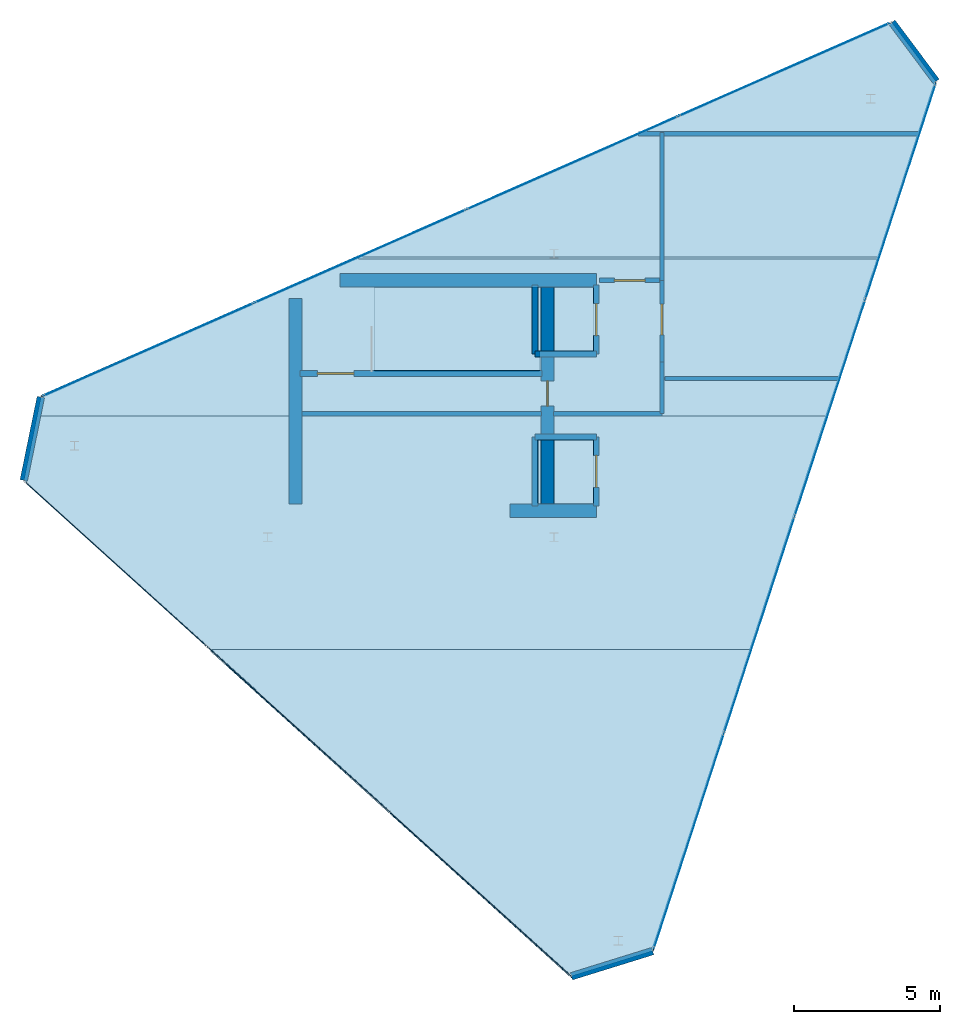
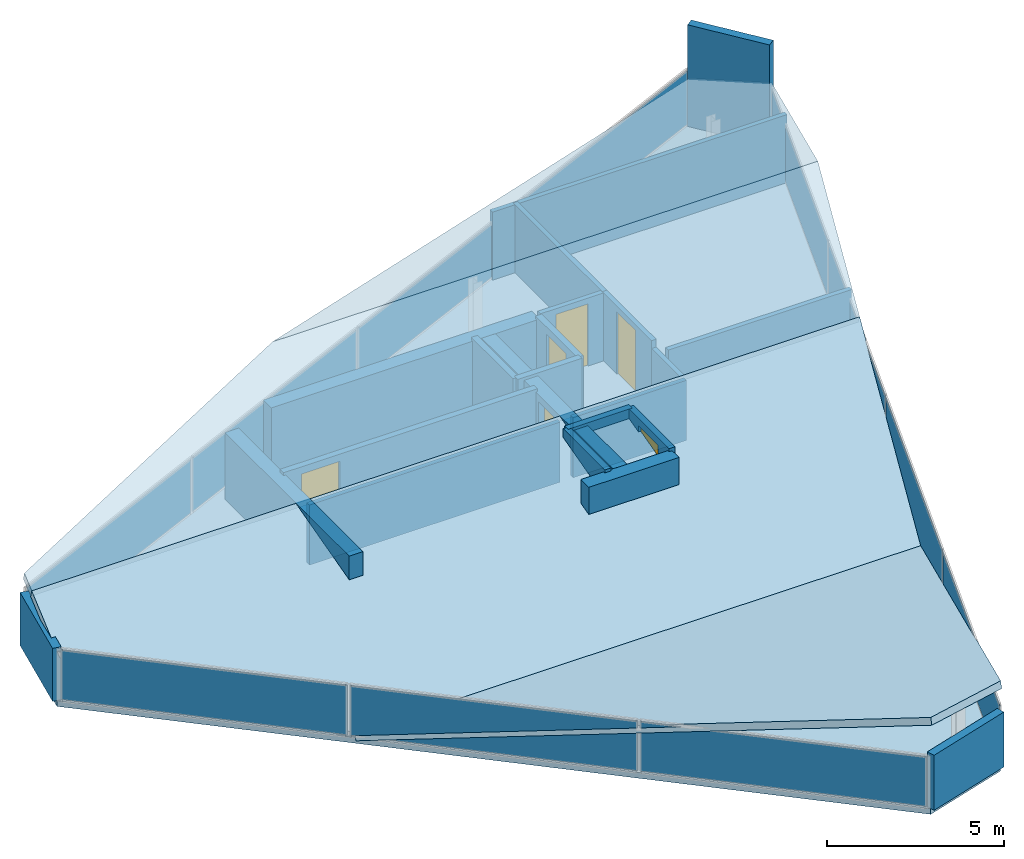
# One storey, part 12 of 13: 22 walls, 11 plates, 6 doors, 5 slabs, 6 openings, 3 elements without a shape of their own.
"""IFC4 building model written with IfcOpenShell, lengths in metres."""

from ifc_helpers import new_model, si_unit, direction, frame, frame_2d, origin, origin_2d, place, context, subcontext, project, spatial, polyline, rectangle, outline, extrude, material, layer, layer_set, type_object, element, fill, aggregate, save


model = new_model("IFC4")

# Units and contexts
model_context = context("Model", 3, precision=1e-05, world=origin(), true_north=direction((0.0, 1.0)))
body_context = subcontext(model_context, "Body", "Model", "MODEL_VIEW")
ifc_project = project(units=[si_unit("LENGTHUNIT", "METRE"), si_unit("AREAUNIT", "SQUARE_METRE"), si_unit("VOLUMEUNIT", "CUBIC_METRE"), si_unit("PLANEANGLEUNIT", "RADIAN"), si_unit("MASSUNIT", "GRAM", prefix="KILO")], contexts=[model_context])

# Site, building, storey
site_placement = place(None, origin())
site = spatial("IfcSite", under=ifc_project, at=site_placement, CompositionType="ELEMENT")
building_placement = place(site_placement, origin())
building = spatial("IfcBuilding", under=site, at=building_placement, Name="Qianvela Tower", CompositionType="ELEMENT")
storey_placement = place(building_placement, frame((0.0, 0.0, 375.050048828125)))
storey = spatial("IfcBuildingStorey", under=building, at=storey_placement, Name="L97", CompositionType="ELEMENT", Elevation=375.050048828125)

# Curtain wall, plates
ifc_material_1 = material(Name="Anodised Architectural Aluminium and Low-E Glass", Category="aluminium")
ifc_layer_1 = layer(ifc_material_1, 0.159912109375)
ifc_layer_set_1 = layer_set([ifc_layer_1], Name="Anodised Architectural Aluminium and Low-E Glass")
curtain_wall_type = type_object("IfcCurtainWallType", Name="CW-CROWN", PredefinedType="USERDEFINED", material=ifc_layer_set_1)
curtain_wall_1_placement = place(storey_placement, origin())
curtain_wall_1 = element("IfcCurtainWall", 1, at=curtain_wall_1_placement, inside=storey, type_object=curtain_wall_type, Name="L97 CW-CROWN Curtain Wall 02", ObjectType="CURTAIN_WALL_SYSTEM", PredefinedType="USERDEFINED")
ifc_material_2 = material(Name="Double-Silver Low-E Insulated Glass", Category="glass")
ifc_layer_2 = layer(ifc_material_2, 0.030029296875)
ifc_layer_set_2 = layer_set([ifc_layer_2], Name="Double-Silver Low-E Insulated Glass")
plate_type = type_object("IfcPlateType", Name="CW-CROWN-PNL", PredefinedType="CURTAIN_PANEL", material=ifc_layer_set_2)
plate_1_placement = place(storey_placement, frame((46.284912109375, 39.85595703125, 0.06005859375), z_axis=(0.0, 0.0, 1.0), x_axis=(-0.915210280631, -0.402976602581, 0.0)))
plate_1 = element("IfcPlate", 2, at=plate_1_placement, type_object=plate_type, Name="CW-8 panel 1.1", PredefinedType="CURTAIN_PANEL", context=body_context, shape_type="SweptSolid", body=[
    extrude(rectangle(XDim=7.84033203125, YDim=0.030029296875, at=origin_2d()), origin(), (0.0, 0.0, 1.0), 1.84619140625),
])
plate_2_placement = place(storey_placement, frame((39.03466796875, 36.663818359375, 0.06005859375), z_axis=(0.0, 0.0, 1.0), x_axis=(-0.915210280631, -0.402976602581, 0.0)))
plate_2 = element("IfcPlate", 3, at=plate_2_placement, type_object=plate_type, Name="CW-8 panel 2.1", PredefinedType="CURTAIN_PANEL", context=body_context, shape_type="SweptSolid", body=[
    extrude(rectangle(XDim=7.873046875, YDim=0.030029296875, at=origin_2d()), origin(), (0.0, 0.0, 1.0), 1.84619140625),
])
plate_3_placement = place(storey_placement, frame((31.77001953125, 33.465087890625, 0.06005859375), z_axis=(0.0, 0.0, 1.0), x_axis=(-0.915210280631, -0.402976602581, 0.0)))
plate_3 = element("IfcPlate", 4, at=plate_3_placement, type_object=plate_type, Name="CW-8 panel 3.1", PredefinedType="CURTAIN_PANEL", context=body_context, shape_type="SweptSolid", body=[
    extrude(rectangle(XDim=7.873046875, YDim=0.030029296875, at=origin_2d()), origin(), (0.0, 0.0, 1.0), 1.84619140625),
])
plate_4_placement = place(storey_placement, frame((24.52001953125, 30.272705078125, 0.06005859375), z_axis=(0.0, 0.0, 1.0), x_axis=(-0.915210280631, -0.402976602581, 0.0)))
plate_4 = element("IfcPlate", 5, at=plate_4_placement, type_object=plate_type, Name="CW-8 panel 4.1", PredefinedType="CURTAIN_PANEL", context=body_context, shape_type="SweptSolid", body=[
    extrude(rectangle(XDim=7.84033203125, YDim=0.030029296875, at=origin_2d()), origin(), (0.0, 0.0, 1.0), 1.84619140625),
])
aggregate(curtain_wall_1, [plate_1, plate_2, plate_3, plate_4])

curtain_wall_2_placement = place(storey_placement, origin())
curtain_wall_2 = element("IfcCurtainWall", 6, at=curtain_wall_2_placement, inside=storey, type_object=curtain_wall_type, Name="L97 CW-CROWN Curtain Wall 04", ObjectType="CURTAIN_WALL_SYSTEM", PredefinedType="USERDEFINED")
plate_5_placement = place(storey_placement, frame((23.40478515625, 22.9267578125, 0.059814453125), z_axis=(0.0, 0.0, 1.0), x_axis=(0.741276215385, -0.671200098707, 0.0)))
plate_5 = element("IfcPlate", 7, at=plate_5_placement, type_object=plate_type, Name="CW-8 panel 1.1", PredefinedType="CURTAIN_PANEL", context=body_context, shape_type="SweptSolid", body=[
    extrude(rectangle(XDim=8.30419921875, YDim=0.030029296875, at=origin_2d()), origin(), (0.0, 0.0, 1.0), 1.7119140625),
])
plate_6_placement = place(storey_placement, frame((29.620849609375, 17.29833984375, 0.059814453125), z_axis=(0.0, 0.0, 1.0), x_axis=(0.741276215385, -0.671200098707, 0.0)))
plate_6 = element("IfcPlate", 8, at=plate_6_placement, type_object=plate_type, Name="CW-8 panel 2.1", PredefinedType="CURTAIN_PANEL", context=body_context, shape_type="SweptSolid", body=[
    extrude(rectangle(XDim=8.3369140625, YDim=0.030029296875, at=origin_2d()), origin(), (0.0, 0.0, 1.0), 1.7119140625),
])
plate_7_placement = place(storey_placement, frame((35.8369140625, 11.670166015625, 0.059814453125), z_axis=(0.0, 0.0, 1.0), x_axis=(0.741276215385, -0.671200098707, 0.0)))
plate_7 = element("IfcPlate", 9, at=plate_7_placement, type_object=plate_type, Name="CW-8 panel 3.1", PredefinedType="CURTAIN_PANEL", context=body_context, shape_type="SweptSolid", body=[
    extrude(rectangle(XDim=8.30419921875, YDim=0.030029296875, at=origin_2d()), origin(), (0.0, 0.0, 1.0), 1.7119140625),
])
aggregate(curtain_wall_2, [plate_5, plate_6, plate_7])

curtain_wall_3_placement = place(storey_placement, origin())
curtain_wall_3 = element("IfcCurtainWall", 10, at=curtain_wall_3_placement, inside=storey, type_object=curtain_wall_type, Name="L97 CW-CROWN Curtain Wall 06", ObjectType="CURTAIN_WALL_SYSTEM", PredefinedType="USERDEFINED")
plate_8_placement = place(storey_placement, frame((43.013916015625, 13.4453125, 0.06005859375), z_axis=(0.0, 0.0, 1.0), x_axis=(0.30984605818, 0.950786737513, 0.0)))
plate_8 = element("IfcPlate", 11, at=plate_8_placement, type_object=plate_type, Name="CW-8 panel 1.1", PredefinedType="CURTAIN_PANEL", context=body_context, shape_type="SweptSolid", body=[
    extrude(rectangle(XDim=7.710205078125, YDim=0.030029296875, at=origin_2d()), origin(), (0.0, 0.0, 1.0), 1.923583984375),
])
plate_9_placement = place(storey_placement, frame((45.42822265625, 20.853271484375, 0.06005859375), z_axis=(0.0, 0.0, 1.0), x_axis=(0.30984605818, 0.950786737513, 0.0)))
plate_9 = element("IfcPlate", 12, at=plate_9_placement, type_object=plate_type, Name="CW-8 panel 2.1", PredefinedType="CURTAIN_PANEL", context=body_context, shape_type="SweptSolid", body=[
    extrude(rectangle(XDim=7.74267578125, YDim=0.030029296875, at=origin_2d()), origin(), (0.0, 0.0, 1.0), 1.923583984375),
])
plate_10_placement = place(storey_placement, frame((47.84716796875, 28.276611328125, 0.06005859375), z_axis=(0.0, 0.0, 1.0), x_axis=(0.30984605818, 0.950786737513, 0.0)))
plate_10 = element("IfcPlate", 13, at=plate_10_placement, type_object=plate_type, Name="CW-8 panel 3.1", PredefinedType="CURTAIN_PANEL", context=body_context, shape_type="SweptSolid", body=[
    extrude(rectangle(XDim=7.74267578125, YDim=0.030029296875, at=origin_2d()), origin(), (0.0, 0.0, 1.0), 1.923583984375),
])
plate_11_placement = place(storey_placement, frame((50.261474609375, 35.6845703125, 0.06005859375), z_axis=(0.0, 0.0, 1.0), x_axis=(0.30984605818, 0.950786737513, 0.0)))
plate_11 = element("IfcPlate", 14, at=plate_11_placement, type_object=plate_type, Name="CW-8 panel 4.1", PredefinedType="CURTAIN_PANEL", context=body_context, shape_type="SweptSolid", body=[
    extrude(rectangle(XDim=7.710205078125, YDim=0.030029296875, at=origin_2d()), origin(), (0.0, 0.0, 1.0), 1.923583984375),
])
aggregate(curtain_wall_3, [plate_8, plate_9, plate_10, plate_11])

# Slabs
ifc_material_3 = material(Name="Concrete C40", Category="concrete")
ifc_layer_3 = layer(ifc_material_3, 0.199951171875)
ifc_layer_set_3 = layer_set([ifc_layer_3], Name="Concrete C40")
slab_type_1 = type_object("IfcSlabType", Name="SL-CROWN-200", PredefinedType="FLOOR", material=ifc_layer_set_3)
slab_1_placement = place(storey_placement, frame((0.0, 0.0, -0.199951171875)))
element("IfcSlab", 15, at=slab_1_placement, inside=storey, type_object=slab_type_1, Name="L97 Composite Structural Floor Slab", PredefinedType="FLOOR", context=body_context, shape_type="SweptSolid", body=[
    extrude(outline(polyline([(51.491455078125, 39.458984375), (49.977783203125, 41.482177734375), (20.826904296875, 28.646728515625), (20.24169921875, 25.791015625), (39.0, 8.805908203125), (41.783935546875, 9.670654296875), (51.491455078125, 39.458984375)]), holes=[polyline([(37.840087890625, 25.02001953125), (39.760009765625, 25.02001953125), (39.760009765625, 27.179931640625), (37.840087890625, 27.179931640625), (37.840087890625, 25.02001953125)]), polyline([(37.89990234375, 29.5400390625), (37.89990234375, 30.219970703125), (39.760009765625, 30.219970703125), (39.760009765625, 32.3798828125), (37.89990234375, 32.3798828125), (37.89990234375, 32.39990234375), (32.25, 32.39990234375), (32.25, 29.5400390625), (37.89990234375, 29.5400390625)])]), origin(), (0.0, 0.0, 1.0), 0.199951171875),
])
ifc_material_4 = material(Name="Concrete C40", Category="concrete")
ifc_layer_4 = layer(ifc_material_4, 0.239990234375)
ifc_layer_set_4 = layer_set([ifc_layer_4], Name="Concrete C40")
slab_type_2 = type_object("IfcSlabType", Name="SL-CROWN-ROOF-240", PredefinedType="ROOF", material=ifc_layer_set_4)
slab_2_placement = place(storey_placement, frame((45.150146484375, 20.0, 0.14990234375), z_axis=(-1.09006e-06, 0.258824745286, 0.965924298911), x_axis=(-0.999999999999, -2.82135e-07, -1.052916e-06)))
element("IfcSlab", 16, at=slab_2_placement, inside=storey, type_object=slab_type_2, Name="L97 South Sloped Crown Roof Slab", PredefinedType="ROOF", context=body_context, shape_type="SweptSolid", body=[
    extrude(outline(polyline([(0.0, 0.0), (18.512939453114, -9.800668542075552e-22), (6.150146484378654, 11.588993127435092), (3.3662109374800027, 10.69374689940265), (0.0, 0.0)])), origin(), (0.0, 0.0, -1.0), 0.239990234375),
])
slab_3_placement = place(storey_placement, frame((26.63720703125, 20.0, 0.14990234375), z_axis=(1.782675e-06, -0.25881343275, 0.965927330095), x_axis=(0.999999999998, 4.6138e-07, -1.721935e-06)))
element("IfcSlab", 17, at=slab_3_placement, inside=storey, type_object=slab_type_2, Name="L97 Central Sloped Crown Roof Slab", PredefinedType="ROOF", context=body_context, shape_type="SweptSolid", body=[
    extrude(outline(polyline([(0.0, 0.0), (18.512939453095584, 9.800668542075552e-22), (21.119873046822555, 8.282199387734575), (-5.942871093759443, 8.282199387734575), (-6.395507812654999, 5.9953160274555435), (0.0, 0.0)])), origin(), (0.0, 0.0, -1.0), 0.239990234375),
])
slab_4_placement = place(storey_placement, frame((20.6943359375, 28.0, 2.29345703125), z_axis=(6.42916e-07, -0.258846455901, 0.965918481171), x_axis=(1.0, 1.66416e-07, -6.21004e-07)))
element("IfcSlab", 18, at=slab_4_placement, inside=storey, type_object=slab_type_2, Name="L97 Ridge Sloped Crown Roof Slab", PredefinedType="ROOF", context=body_context, shape_type="SweptSolid", body=[
    extrude(outline(polyline([(0.0, 0.0), (27.062744140619408, 0.0), (28.834228515623593, 5.62708034721998), (11.008300781252276, 5.62708034721998), (0.1325683593564731, 0.6695554297635291), (0.0, 0.0)])), origin(), (0.0, 0.0, -1.0), 0.239990234375),
])
slab_5_placement = place(storey_placement, frame((31.70263671875, 33.435302734375, 3.75), z_axis=(7.203115e-06, 0.258829459846, 0.96592303558), x_axis=(0.999999999974, -1.864378e-06, -6.957655e-06)))
element("IfcSlab", 19, at=slab_5_placement, inside=storey, type_object=slab_type_2, Name="L97 North Sloped Crown Roof Slab", PredefinedType="ROOF", context=body_context, shape_type="SweptSolid", body=[
    extrude(outline(polyline([(0.0, 0.0), (17.825927733912554, 3.774787026597457e-21), (19.78881835988837, 6.236230333502925), (18.27514648392421, 8.330762949941292), (0.0, 0.0)])), origin(), (0.0, 0.0, -1.0), 0.239990234375),
])

# Walls
ifc_material_5 = material(Name="Terracotta Cladding on Concrete C40", Category="masonry")
ifc_layer_5 = layer(ifc_material_5, 0.260009765625)
ifc_layer_set_5 = layer_set([ifc_layer_5], Name="Terracotta Cladding on Concrete C40")
wall_type_1 = type_object("IfcWallType", Name="TERRACOTTA-WALL-260", PredefinedType="SOLIDWALL", material=ifc_layer_set_5)
wall_1_placement = place(storey_placement, frame((51.491455078125, 39.458984375, 0.0), z_axis=(0.0, 0.0, 1.0), x_axis=(-0.599056552177, 0.800706717402, 0.0)))
element("IfcWall", 20, at=wall_1_placement, inside=storey, type_object=wall_type_1, Name="L97 Crown Terracotta Cladding Wall 1", PredefinedType="SOLIDWALL", context=body_context, shape_type="SweptSolid", body=[
    extrude(rectangle(XDim=2.52685546875, YDim=0.260009765625, at=frame_2d((1.263427734375, 0.0))), origin(), (0.0, 0.0, 1.0), 3.510009765625),
])
wall_2_placement = place(storey_placement, frame((20.826904296875, 28.646728515625, 0.0), z_axis=(0.0, 0.0, 1.0), x_axis=(-0.20075248883, -0.979641994929, 0.0)))
element("IfcWall", 21, at=wall_2_placement, inside=storey, type_object=wall_type_1, Name="L97 Crown Terracotta Cladding Wall 3", PredefinedType="SOLIDWALL", context=body_context, shape_type="SweptSolid", body=[
    extrude(rectangle(XDim=2.9150390625, YDim=0.260009765625, at=frame_2d((1.45751953125, 0.0))), origin(), (0.0, 0.0, 1.0), 1.831787109375),
])
wall_3_placement = place(storey_placement, frame((39.0, 8.805908203125, 0.0), z_axis=(0.0, 0.0, 1.0), x_axis=(0.954989713647, 0.296638916578, 0.0)))
element("IfcWall", 22, at=wall_3_placement, inside=storey, type_object=wall_type_1, Name="L97 Crown Terracotta Cladding Wall 5", PredefinedType="SOLIDWALL", context=body_context, shape_type="SweptSolid", body=[
    extrude(rectangle(XDim=2.9150390625, YDim=0.260009765625, at=frame_2d((1.45751953125, 0.0))), origin(), (0.0, 0.0, 1.0), 1.901123046875),
])
ifc_material_6 = material(Name="Concrete C50", Category="concrete")
ifc_layer_6 = layer(ifc_material_6, 0.449951171875)
ifc_layer_set_6 = layer_set([ifc_layer_6], Name="Concrete C50")
wall_type_2 = type_object("IfcWallType", Name="WT-CORE-450", PredefinedType="SHEAR", material=ifc_layer_set_6)
wall_4_placement = place(storey_placement, frame((31.080078125, 32.64501953125, 0.0), z_axis=(0.0, 0.0, 1.0), x_axis=(1.0, 0.0, 0.0)))
element("IfcWall", 23, at=wall_4_placement, inside=storey, type_object=wall_type_2, Name="L97 North Core Shear Wall", PredefinedType="SHEAR", context=body_context, shape_type="SweptSolid", body=[
    extrude(rectangle(XDim=8.77001953125, YDim=0.449951171875, at=frame_2d((4.385009765625, 0.0))), origin(), (0.0, 0.0, 1.0), 2.300048828125),
])
wall_5_placement = place(storey_placement, frame((36.89990234375, 24.7548828125, 0.0), z_axis=(0.0, 0.0, 1.0), x_axis=(1.0, 0.0, 0.0)))
element("IfcWall", 24, at=wall_5_placement, inside=storey, type_object=wall_type_2, Name="L97 South Core Shear Wall", PredefinedType="SHEAR", context=body_context, shape_type="SweptSolid", body=[
    extrude(rectangle(XDim=2.9501953125, YDim=0.449951171875, at=frame_2d((1.47509765625, 0.0))), origin(), (0.0, 0.0, 1.0), 2.300048828125),
])
wall_6_placement = place(storey_placement, frame((29.554931640625, 24.97998046875, 0.0), z_axis=(0.0, 0.0, 1.0), x_axis=(0.0, 1.0, 0.0)))
element("IfcWall", 25, at=wall_6_placement, inside=storey, type_object=wall_type_2, Name="L97 West Core Shear Wall", PredefinedType="SHEAR", context=body_context, shape_type="SweptSolid", body=[
    extrude(rectangle(XDim=7.0400390625, YDim=0.449951171875, at=frame_2d((3.52001953125, 0.0))), origin(), (0.0, 0.0, 1.0), 2.300048828125),
])

# Wall, opening, door
wall_7_placement = place(storey_placement, frame((38.179931640625, 24.97998046875, 0.0), z_axis=(0.0, 0.0, 1.0), x_axis=(0.0, 1.0, 0.0)))
wall_7 = element("IfcWall", 26, at=wall_7_placement, inside=storey, type_object=wall_type_2, Name="L97 East Spine Core Shear Wall", PredefinedType="SHEAR", context=body_context, shape_type="SweptSolid", body=[
    extrude(rectangle(XDim=7.43994140625, YDim=0.449951171875, at=frame_2d((3.719970703125, 0.0))), origin(), (0.0, 0.0, 1.0), 2.300048828125),
])
opening_1_placement = place(wall_7_placement, frame((3.360107421875, 0.0, 0.0)))
opening_1 = element("IfcOpeningElement", 27, at=opening_1_placement, cuts=wall_7, Name="Opening D-LB2", PredefinedType="OPENING", context=body_context, shape_type="SweptSolid", body=[
    extrude(rectangle(XDim=0.860107421875, YDim=2.050048828125, at=frame_2d((0.43017578125, 1.02490234375))), frame((0.0, 0.23486328125, 0.0), z_axis=(0.0, -1.0, 0.0), x_axis=(1.0, 0.0, 0.0)), (0.0, 0.0, 1.0), 0.469970703125),
])
ifc_material_7 = material(Name="Insulated Steel Fire Door Q355B", Category="steel")
door_type_1 = type_object("IfcDoorType", Name="DT-LOBBY-FD90-860", OperationType="NOTDEFINED", PredefinedType="DOOR", material=ifc_material_7)
door_1_placement = place(opening_1_placement, origin())
door_1 = element("IfcDoor", 28, at=door_1_placement, inside=storey, type_object=door_type_1, Name="L97 Stair Access Lobby Door", OperationType="SINGLE_SWING_LEFT", OverallHeight=2.050048828125, OverallWidth=0.860107421875, PredefinedType="DOOR", context=body_context, shape_type="SweptSolid", body=[
    extrude(rectangle(XDim=0.860107421875, YDim=2.050048828125, at=frame_2d((0.43017578125, 1.02490234375))), frame((0.0, 0.02490234375, 0.0), z_axis=(0.0, -1.0, 0.0), x_axis=(1.0, 0.0, 0.0)), (0.0, 0.0, 1.0), 0.050048828125),
])
fill(opening_1, door_1)

ifc_material_8 = material(Name="Fire-Rated Acoustic Gypsum Board")
ifc_layer_7 = layer(ifc_material_8, 0.14990234375)
ifc_layer_set_7 = layer_set([ifc_layer_7], Name="Fire-Rated Acoustic Gypsum Board")
wall_type_3 = type_object("IfcWallType", Name="WT-CORR-150", PredefinedType="PARTITIONING", material=ifc_layer_set_7)
wall_8_placement = place(storey_placement, frame((42.10009765625, 29.85009765625, 0.0), z_axis=(0.0, 0.0, 1.0), x_axis=(0.0, 1.0, 0.0)))
wall_8 = element("IfcWall", 29, at=wall_8_placement, inside=storey, type_object=wall_type_3, Name="L97 Crown Mechanical Plant Partition 1", PredefinedType="PARTITIONING", context=body_context, shape_type="SweptSolid", body=[
    extrude(rectangle(XDim=2.794921875, YDim=0.14990234375, at=frame_2d((1.3974609375, 0.0))), origin(), (0.0, 0.0, 1.0), 2.349853515625),
])
opening_2_placement = place(wall_8_placement, frame((0.925048828125, 0.0, 0.0)))
opening_2 = element("IfcOpeningElement", 30, at=opening_2_placement, cuts=wall_8, Name="Opening D-PL1", PredefinedType="OPENING", context=body_context, shape_type="SweptSolid", body=[
    extrude(rectangle(XDim=1.050048828125, YDim=2.14990234375, at=frame_2d((0.52490234375, 1.074951171875))), frame((0.0, 0.0849609375, 0.0), z_axis=(0.0, -1.0, 0.0), x_axis=(1.0, 0.0, 0.0)), (0.0, 0.0, 1.0), 0.169921875),
])
ifc_material_9 = material(Name="Insulated Steel Fire Door Q355B", Category="steel")
door_type_2 = type_object("IfcDoorType", Name="DT-PLANT-FD90", OperationType="NOTDEFINED", PredefinedType="DOOR", material=ifc_material_9)
door_2_placement = place(opening_2_placement, origin())
door_2 = element("IfcDoor", 31, at=door_2_placement, inside=storey, type_object=door_type_2, Name="L97 Crown Mechanical Plant Room Door", OperationType="SINGLE_SWING_RIGHT", OverallHeight=2.14990234375, OverallWidth=1.050048828125, PredefinedType="DOOR", context=body_context, shape_type="SweptSolid", body=[
    extrude(rectangle(XDim=1.050048828125, YDim=2.14990234375, at=frame_2d((0.52490234375, 1.074951171875))), frame((0.0, 0.02490234375, 0.0), z_axis=(0.0, -1.0, 0.0), x_axis=(1.0, 0.0, 0.0)), (0.0, 0.0, 1.0), 0.050048828125),
])
fill(opening_2, door_2)

wall_9_placement = place(storey_placement, frame((39.9599609375, 32.64501953125, 0.0), z_axis=(0.0, 0.0, 1.0), x_axis=(1.0, 0.0, 0.0)))
wall_9 = element("IfcWall", 32, at=wall_9_placement, inside=storey, type_object=wall_type_3, Name="L97 Crown Mechanical Plant Partition 3", PredefinedType="PARTITIONING", context=body_context, shape_type="SweptSolid", body=[
    extrude(rectangle(XDim=2.06005859375, YDim=0.14990234375, at=frame_2d((1.030029296875, 0.0))), origin(), (0.0, 0.0, 1.0), 2.349853515625),
])
opening_3_placement = place(wall_9_placement, frame((0.514892578125, 0.0, 0.0)))
opening_3 = element("IfcOpeningElement", 33, at=opening_3_placement, cuts=wall_9, Name="Opening D-PL1", PredefinedType="OPENING", context=body_context, shape_type="SweptSolid", body=[
    extrude(rectangle(XDim=1.050048828125, YDim=2.14990234375, at=frame_2d((0.52490234375, 1.074951171875))), frame((0.0, 0.0849609375, 0.0), z_axis=(0.0, -1.0, 0.0), x_axis=(1.0, 0.0, 0.0)), (0.0, 0.0, 1.0), 0.169921875),
])
door_3_placement = place(opening_3_placement, origin())
door_3 = element("IfcDoor", 34, at=door_3_placement, inside=storey, type_object=door_type_2, Name="L97 Crown Apex Switch Room Door", OperationType="SINGLE_SWING_LEFT", OverallHeight=2.14990234375, OverallWidth=1.050048828125, PredefinedType="DOOR", context=body_context, shape_type="SweptSolid", body=[
    extrude(rectangle(XDim=1.050048828125, YDim=2.14990234375, at=frame_2d((0.52490234375, 1.074951171875))), frame((0.0, 0.02490234375, 0.0), z_axis=(0.0, -1.0, 0.0), x_axis=(1.0, 0.0, 0.0)), (0.0, 0.0, 1.0), 0.050048828125),
])
fill(opening_3, door_3)

# Walls
wall_10_placement = place(storey_placement, frame((38.39306640625, 28.074951171875, 0.0), z_axis=(0.0, 0.0, 1.0), x_axis=(1.0, 0.0, 0.0)))
element("IfcWall", 35, at=wall_10_placement, inside=storey, type_object=wall_type_3, Name="L97 Lobby South Partition seg c1", PredefinedType="PARTITIONING", context=body_context, shape_type="SweptSolid", body=[
    extrude(rectangle(XDim=3.70703125, YDim=0.14990234375, at=frame_2d((1.853515625, 0.0))), origin(), (0.0, 0.0, 1.0), 2.079833984375),
])
wall_11_placement = place(storey_placement, frame((29.76806640625, 28.074951171875, 0.0), z_axis=(0.0, 0.0, 1.0), x_axis=(1.0, 0.0, 0.0)))
element("IfcWall", 36, at=wall_11_placement, inside=storey, type_object=wall_type_3, Name="L97 Lobby South Partition", PredefinedType="PARTITIONING", context=body_context, shape_type="SweptSolid", body=[
    extrude(rectangle(XDim=8.198974609375, YDim=0.14990234375, at=frame_2d((4.099609375, 0.0))), origin(), (0.0, 0.0, 1.0), 2.079833984375),
])
wall_12_placement = place(storey_placement, frame((42.10009765625, 28.074951171875, 0.0), z_axis=(0.0, 0.0, 1.0), x_axis=(0.0, 1.0, 0.0)))
element("IfcWall", 37, at=wall_12_placement, inside=storey, type_object=wall_type_3, Name="L97 Lift Lobby East Partition seg 1", PredefinedType="PARTITIONING", context=body_context, shape_type="SweptSolid", body=[
    extrude(rectangle(XDim=1.775146484375, YDim=0.14990234375, at=frame_2d((0.8876953125, 0.0))), origin(), (0.0, 0.0, 1.0), 2.079833984375),
])
wall_13_placement = place(storey_placement, frame((42.10009765625, 32.64501953125, 0.0), z_axis=(0.0, 0.0, 1.0), x_axis=(0.0, 1.0, 0.0)))
element("IfcWall", 38, at=wall_13_placement, inside=storey, type_object=wall_type_3, Name="L97 Apex Plant Rooms Partition seg 1", PredefinedType="PARTITIONING", context=body_context, shape_type="SweptSolid", body=[
    extrude(rectangle(XDim=5.054931640625, YDim=0.14990234375, at=frame_2d((2.52734375, 0.0))), origin(), (0.0, 0.0, 1.0), 2.349853515625),
])
wall_14_placement = place(storey_placement, frame((41.2978515625, 37.6689453125, 0.0), z_axis=(0.0, 0.0, 1.0), x_axis=(1.0, 0.0, 0.0)))
element("IfcWall", 39, at=wall_14_placement, inside=storey, type_object=wall_type_3, Name="L97 Partition 12", PredefinedType="PARTITIONING", context=body_context, shape_type="SweptSolid", body=[
    extrude(rectangle(XDim=9.630126953125, YDim=0.14990234375, at=frame_2d((4.81494140625, 0.0))), origin(), (0.0, 0.0, 1.0), 2.349853515625),
])
wall_15_placement = place(storey_placement, frame((48.194580078125, 29.281005859375, 0.0), z_axis=(0.0, 0.0, 1.0), x_axis=(-1.0, 0.0, 0.0)))
element("IfcWall", 40, at=wall_15_placement, inside=storey, type_object=wall_type_3, Name="L97 Partition 14", PredefinedType="PARTITIONING", context=body_context, shape_type="SweptSolid", body=[
    extrude(rectangle(XDim=5.99462890625, YDim=0.14990234375, at=frame_2d((2.997314453125, 0.0))), origin(), (0.0, 0.0, 1.0), 2.349853515625),
])

# Wall, opening, door
ifc_material_10 = material(Name="Concrete C50", Category="concrete")
ifc_layer_8 = layer(ifc_material_10, 0.199951171875)
ifc_layer_set_8 = layer_set([ifc_layer_8], Name="Concrete C50")
wall_type_4 = type_object("IfcWallType", Name="WT-SHAFT-200", PredefinedType="SOLIDWALL", material=ifc_layer_set_8)
wall_16_placement = place(storey_placement, frame((29.699951171875, 29.449951171875, 0.0), z_axis=(0.0, 0.0, 1.0), x_axis=(1.0, 0.0, 0.0)))
wall_16 = element("IfcWall", 41, at=wall_16_placement, inside=storey, type_object=wall_type_4, Name="L97 Stair ST-1 South Wall", PredefinedType="SOLIDWALL", context=body_context, shape_type="SweptSolid", body=[
    extrude(rectangle(XDim=8.300048828125, YDim=0.199951171875, at=frame_2d((4.14990234375, 0.0))), origin(), (0.0, 0.0, 1.0), 2.39990234375),
])
opening_4_placement = place(wall_16_placement, frame((0.594970703125, 0.0, 0.0)))
opening_4 = element("IfcOpeningElement", 42, at=opening_4_placement, cuts=wall_16, Name="Opening D-ST1", PredefinedType="OPENING", context=body_context, shape_type="SweptSolid", body=[
    extrude(rectangle(XDim=1.25, YDim=2.14990234375, at=frame_2d((0.625, 1.074951171875))), frame((0.0, 0.10986328125, 0.0), z_axis=(0.0, -1.0, 0.0), x_axis=(1.0, 0.0, 0.0)), (0.0, 0.0, 1.0), 0.219970703125),
])
ifc_material_11 = material(Name="Galvanised Fire Steel Q355B", Category="steel")
door_type_3 = type_object("IfcDoorType", Name="DT-STAIR-FD90", OperationType="NOTDEFINED", PredefinedType="DOOR", material=ifc_material_11)
door_4_placement = place(opening_4_placement, origin())
door_4 = element("IfcDoor", 43, at=door_4_placement, inside=storey, type_object=door_type_3, Name="L97 Stair ST-1 Exit Door", OperationType="SINGLE_SWING_LEFT", OverallHeight=2.14990234375, OverallWidth=1.25, PredefinedType="DOOR", context=body_context, shape_type="SweptSolid", body=[
    extrude(rectangle(XDim=1.25, YDim=2.14990234375, at=frame_2d((0.625, 1.074951171875))), frame((0.0, 0.02490234375, 0.0), z_axis=(0.0, -1.0, 0.0), x_axis=(1.0, 0.0, 0.0)), (0.0, 0.0, 1.0), 0.050048828125),
])
fill(opening_4, door_4)

wall_17_placement = place(storey_placement, frame((39.85009765625, 30.1201171875, 0.0), z_axis=(0.0, 0.0, 1.0), x_axis=(0.0, 1.0, 0.0)))
wall_17 = element("IfcWall", 44, at=wall_17_placement, inside=storey, type_object=wall_type_4, Name="L97 Lift FL-1 E Shaft Wall", PredefinedType="SOLIDWALL", context=body_context, shape_type="SweptSolid", body=[
    extrude(rectangle(XDim=2.35986328125, YDim=0.199951171875, at=frame_2d((1.179931640625, 0.0))), origin(), (0.0, 0.0, 1.0), 2.39990234375),
])
opening_5_placement = place(wall_17_placement, frame((0.6298828125, 0.0, 0.0)))
opening_5 = element("IfcOpeningElement", 45, at=opening_5_placement, cuts=wall_17, Name="Opening LD-01", PredefinedType="OPENING", context=body_context, shape_type="SweptSolid", body=[
    extrude(rectangle(XDim=1.10009765625, YDim=2.14990234375, at=frame_2d((0.550048828125, 1.074951171875))), frame((0.0, 0.10986328125, 0.0), z_axis=(0.0, -1.0, 0.0), x_axis=(1.0, 0.0, 0.0)), (0.0, 0.0, 1.0), 0.219970703125),
])
ifc_material_12 = material(Name="Brushed Stainless Steel Lift Landing Door", Category="steel")
door_type_4 = type_object("IfcDoorType", Name="DT-LIFT-SLIDE-1100", OperationType="SLIDING_TO_LEFT", PredefinedType="DOOR", material=ifc_material_12)
door_5_placement = place(opening_5_placement, origin())
door_5 = element("IfcDoor", 46, at=door_5_placement, inside=storey, type_object=door_type_4, Name="L97 Lift FL-1 Sliding Landing Door", OperationType="SLIDING_TO_LEFT", OverallHeight=2.14990234375, OverallWidth=1.10009765625, PredefinedType="DOOR", context=body_context, shape_type="SweptSolid", body=[
    extrude(rectangle(XDim=1.10009765625, YDim=2.14990234375, at=frame_2d((0.550048828125, 1.074951171875))), frame((0.0, 0.02490234375, 0.0), z_axis=(0.0, -1.0, 0.0), x_axis=(1.0, 0.0, 0.0)), (0.0, 0.0, 1.0), 0.050048828125),
])
fill(opening_5, door_5)

# Walls
wall_18_placement = place(storey_placement, frame((37.75, 30.1201171875, 0.0), z_axis=(0.0, 0.0, 1.0), x_axis=(0.0, 1.0, 0.0)))
element("IfcWall", 47, at=wall_18_placement, inside=storey, type_object=wall_type_4, Name="L97 Lift FL-1 W Shaft Wall", PredefinedType="SOLIDWALL", context=body_context, shape_type="SweptSolid", body=[
    extrude(rectangle(XDim=2.35986328125, YDim=0.199951171875, at=frame_2d((1.179931640625, 0.0))), origin(), (0.0, 0.0, 1.0), 2.39990234375),
])
wall_19_placement = place(storey_placement, frame((37.75, 30.1201171875, 0.0), z_axis=(0.0, 0.0, 1.0), x_axis=(1.0, 0.0, 0.0)))
element("IfcWall", 48, at=wall_19_placement, inside=storey, type_object=wall_type_4, Name="L97 Lift FL-1 S Shaft Wall", PredefinedType="SOLIDWALL", context=body_context, shape_type="SweptSolid", body=[
    extrude(rectangle(XDim=2.10009765625, YDim=0.199951171875, at=frame_2d((1.050048828125, 0.0))), origin(), (0.0, 0.0, 1.0), 2.39990234375),
])

# Wall, opening, door
wall_20_placement = place(storey_placement, frame((39.85009765625, 24.919921875, 0.0), z_axis=(0.0, 0.0, 1.0), x_axis=(0.0, 1.0, 0.0)))
wall_20 = element("IfcWall", 49, at=wall_20_placement, inside=storey, type_object=wall_type_4, Name="L97 Lift FL-2 E Shaft Wall", PredefinedType="SOLIDWALL", context=body_context, shape_type="SweptSolid", body=[
    extrude(rectangle(XDim=2.360107421875, YDim=0.199951171875, at=frame_2d((1.18017578125, 0.0))), origin(), (0.0, 0.0, 1.0), 2.39990234375),
])
opening_6_placement = place(wall_20_placement, frame((0.6298828125, 0.0, 0.0)))
opening_6 = element("IfcOpeningElement", 50, at=opening_6_placement, cuts=wall_20, Name="Opening LD-01", PredefinedType="OPENING", context=body_context, shape_type="SweptSolid", body=[
    extrude(rectangle(XDim=1.10009765625, YDim=2.14990234375, at=frame_2d((0.550048828125, 1.074951171875))), frame((0.0, 0.10986328125, 0.0), z_axis=(0.0, -1.0, 0.0), x_axis=(1.0, 0.0, 0.0)), (0.0, 0.0, 1.0), 0.219970703125),
])
door_6_placement = place(opening_6_placement, origin())
door_6 = element("IfcDoor", 51, at=door_6_placement, inside=storey, type_object=door_type_4, Name="L97 Lift FL-2 Sliding Landing Door", OperationType="SLIDING_TO_LEFT", OverallHeight=2.14990234375, OverallWidth=1.10009765625, PredefinedType="DOOR", context=body_context, shape_type="SweptSolid", body=[
    extrude(rectangle(XDim=1.10009765625, YDim=2.14990234375, at=frame_2d((0.550048828125, 1.074951171875))), frame((0.0, 0.02490234375, 0.0), z_axis=(0.0, -1.0, 0.0), x_axis=(1.0, 0.0, 0.0)), (0.0, 0.0, 1.0), 0.050048828125),
])
fill(opening_6, door_6)

# Walls
wall_21_placement = place(storey_placement, frame((37.75, 24.919921875, 0.0), z_axis=(0.0, 0.0, 1.0), x_axis=(0.0, 1.0, 0.0)))
element("IfcWall", 52, at=wall_21_placement, inside=storey, type_object=wall_type_4, Name="L97 Lift FL-2 W Shaft Wall", PredefinedType="SOLIDWALL", context=body_context, shape_type="SweptSolid", body=[
    extrude(rectangle(XDim=2.360107421875, YDim=0.199951171875, at=frame_2d((1.18017578125, 0.0))), origin(), (0.0, 0.0, 1.0), 2.39990234375),
])
wall_22_placement = place(storey_placement, frame((37.75, 27.280029296875, 0.0), z_axis=(0.0, 0.0, 1.0), x_axis=(1.0, 0.0, 0.0)))
element("IfcWall", 53, at=wall_22_placement, inside=storey, type_object=wall_type_4, Name="L97 Lift FL-2 N Shaft Wall", PredefinedType="SOLIDWALL", context=body_context, shape_type="SweptSolid", body=[
    extrude(rectangle(XDim=2.10009765625, YDim=0.199951171875, at=frame_2d((1.050048828125, 0.0))), origin(), (0.0, 0.0, 1.0), 2.39990234375),
])

save(model, "model.ifc")
